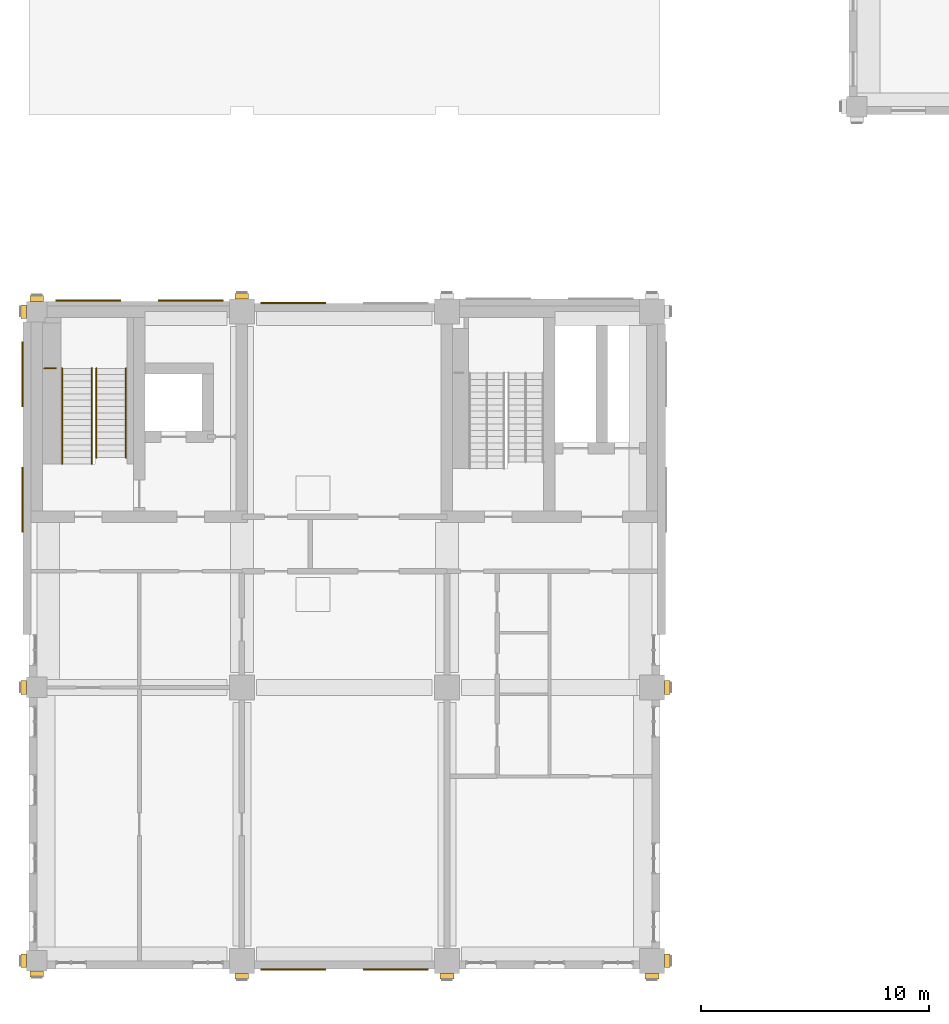
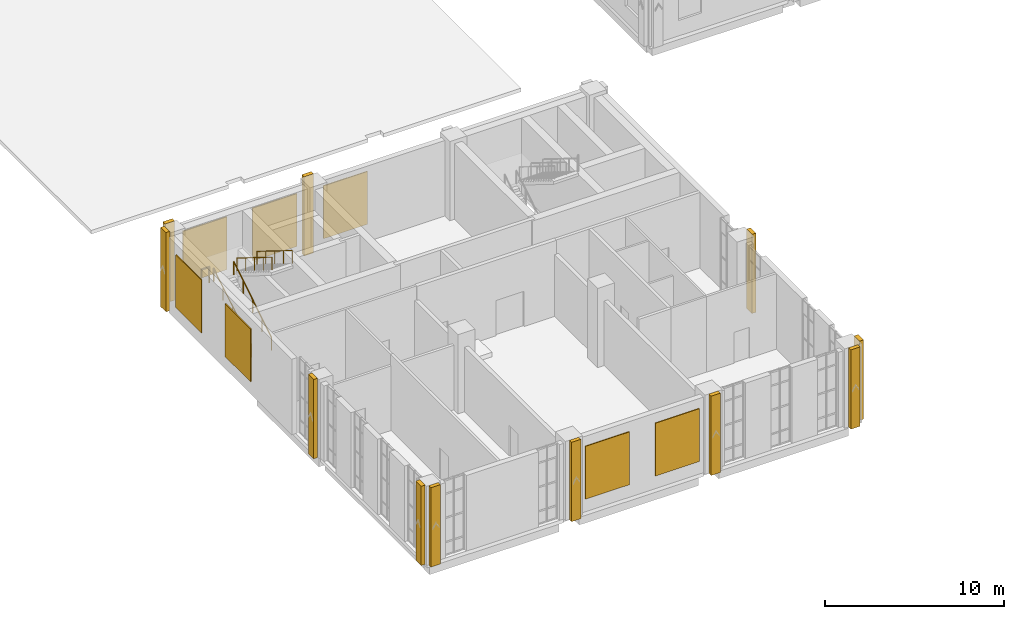
# One storey, part 26 of 33: 18 coverings, 5 railings.
"""IFC4 building model written with IfcOpenShell, lengths in metres."""

from ifc_helpers import new_model, si_unit, direction, frame, origin, origin_2d, place, context, subcontext, project, spatial, rectangle, circle, extrude, material, layer, layer_set, type_object, element, save


model = new_model("IFC4")

# Units and contexts
model_context = context("Model", 3, precision=1e-05, world=origin(), true_north=direction((0.0, 1.0)))
body_context = subcontext(model_context, "Body", "Model", "MODEL_VIEW")
ifc_project = project(units=[si_unit("LENGTHUNIT", "METRE"), si_unit("AREAUNIT", "SQUARE_METRE"), si_unit("VOLUMEUNIT", "CUBIC_METRE"), si_unit("PLANEANGLEUNIT", "RADIAN"), si_unit("MASSUNIT", "GRAM", prefix="KILO")], contexts=[model_context])

# Site, building, storey
site_placement = place(None, origin())
site = spatial("IfcSite", under=ifc_project, at=site_placement, CompositionType="ELEMENT")
building_placement = place(site_placement, origin())
building = spatial("IfcBuilding", under=site, at=building_placement, Name="Aurelan Courthouse", CompositionType="ELEMENT")
storey_placement = place(building_placement, frame((0.0, 0.0, 22.800048828125)))
storey = spatial("IfcBuildingStorey", under=building, at=storey_placement, Name="L04", CompositionType="ELEMENT", Elevation=22.800048828125)

# Coverings
ifc_material_1 = material(Name="Bronze sheet cladding")
ifc_layer = layer(ifc_material_1, 0.06005859375)
ifc_layer_set = layer_set([ifc_layer], Name="Bronze sheet cladding")
covering_type_1 = type_object("IfcCoveringType", Name="Courts' Floors blind bay 2850 x 3600", PredefinedType="CLADDING", material=ifc_layer_set)
for number, where, z_axis, x_axis, name in (
    (1, (11.25, -0.3798828125, 0.89990234375), (0.0, 0.0, 1.0), (1.0, 0.0, 0.0), "Blind bay BB-V5-L04-001"),
    (2, (15.75, -0.3798828125, 0.89990234375), (0.0, 0.0, 1.0), (1.0, 0.0, 0.0), "Blind bay BB-V5-L04-002"),
    (3, (2.25, 28.97998046875, 0.89990234375), (0.0, 0.0, 1.0), (1.0, 0.0, 0.0), "Blind bay BB-V5-L04-003"),
    (4, (6.75, 28.97998046875, 0.89990234375), (0.0, 0.0, 1.0), (1.0, 0.0, 0.0), "Blind bay BB-V5-L04-004"),
    (5, (11.25, 28.8798828125, 0.89990234375), (0.0, 0.0, 1.0), (1.0, 0.0, 0.0), "Blind bay BB-V5-L04-005"),
):
    element("IfcCovering", number, at=place(storey_placement, frame(where, z_axis=z_axis, x_axis=x_axis)), inside=storey, type_object=covering_type_1, Name=name, PredefinedType="CLADDING", context=body_context, shape_type="SweptSolid", body=[
        extrude(rectangle(XDim=2.85009765625, YDim=0.06005859375, at=origin_2d()), origin(), (0.0, 0.0, 1.0), 3.60009765625),
    ])
for number, where, z_axis, x_axis, name in (
    (6, (-0.6298828125, 20.25, 0.89990234375), (0.0, 0.0, 1.0), (1.0, 0.0, 0.0), "Blind bay BB-V5-L04-011"),
    (7, (-0.6298828125, 25.75, 0.89990234375), (0.0, 0.0, 1.0), (1.0, 0.0, 0.0), "Blind bay BB-V5-L04-012"),
):
    element("IfcCovering", number, at=place(storey_placement, frame(where, z_axis=z_axis, x_axis=x_axis)), inside=storey, type_object=covering_type_1, Name=name, PredefinedType="CLADDING", context=body_context, shape_type="SweptSolid", body=[
        extrude(rectangle(XDim=0.06005859375, YDim=2.85009765625, at=origin_2d()), origin(), (0.0, 0.0, 1.0), 3.60009765625),
    ])
ifc_material_2 = material(Name="Limestone cladding", Category="masonry")
covering_type_2 = type_object("IfcCoveringType", Name="Courts' Floors pilaster fin 600 x 250", PredefinedType="CLADDING", material=ifc_material_2)
for number, where, z_axis, x_axis, name in (
    (8, (0.0, -0.574951171875, 0.0), (0.0, 0.0, 1.0), (1.0, 0.0, 0.0), "Pilaster fin FN-V5-029"),
    (9, (9.0, -0.675048828125, 0.0), (0.0, 0.0, 1.0), (1.0, 0.0, 0.0), "Pilaster fin FN-V5-030"),
    (10, (18.0, -0.675048828125, 0.0), (0.0, 0.0, 1.0), (1.0, 0.0, 0.0), "Pilaster fin FN-V5-031"),
    (11, (27.0, -0.675048828125, 0.0), (0.0, 0.0, 1.0), (1.0, 0.0, 0.0), "Pilaster fin FN-V5-032"),
    (12, (0.0, 29.074951171875, 0.0), (0.0, 0.0, 1.0), (1.0, 0.0, 0.0), "Pilaster fin FN-V5-033"),
    (13, (9.0, 29.175048828125, 0.0), (0.0, 0.0, 1.0), (1.0, 0.0, 0.0), "Pilaster fin FN-V5-034"),
):
    element("IfcCovering", number, at=place(storey_placement, frame(where, z_axis=z_axis, x_axis=x_axis)), inside=storey, type_object=covering_type_2, Name=name, PredefinedType="CLADDING", context=body_context, shape_type="SweptSolid", body=[
        extrude(rectangle(XDim=0.60009765625, YDim=0.25, at=origin_2d()), origin(), (0.0, 0.0, 1.0), 5.39990234375),
    ])
for number, where, z_axis, x_axis, name in (
    (14, (27.675048828125, 0.0, 0.0), (0.0, 0.0, 1.0), (1.0, 0.0, 0.0), "Pilaster fin FN-V5-037"),
    (15, (27.675048828125, 12.0, 0.0), (0.0, 0.0, 1.0), (1.0, 0.0, 0.0), "Pilaster fin FN-V5-038"),
    (16, (-0.574951171875, 0.0, 0.0), (0.0, 0.0, 1.0), (1.0, 0.0, 0.0), "Pilaster fin FN-V5-040"),
    (17, (-0.574951171875, 12.0, 0.0), (0.0, 0.0, 1.0), (1.0, 0.0, 0.0), "Pilaster fin FN-V5-041"),
    (18, (-0.574951171875, 28.5, 0.0), (0.0, 0.0, 1.0), (1.0, 0.0, 0.0), "Pilaster fin FN-V5-042"),
):
    element("IfcCovering", number, at=place(storey_placement, frame(where, z_axis=z_axis, x_axis=x_axis)), inside=storey, type_object=covering_type_2, Name=name, PredefinedType="CLADDING", context=body_context, shape_type="SweptSolid", body=[
        extrude(rectangle(XDim=0.25, YDim=0.60009765625, at=origin_2d()), origin(), (0.0, 0.0, 1.0), 5.39990234375),
    ])

# Railings
ifc_material_3 = material(Name="Steel S355", Category="steel")
railing_type_1 = type_object("IfcRailingType", Name="Stair guard 1100", PredefinedType="GUARDRAIL", material=ifc_material_3)
railing_placement = place(storey_placement, frame((0.830078125, 26.010009765625, 2.787109375)))
element("IfcRailing", 19, at=railing_placement, inside=storey, type_object=railing_type_1, Name="Guard ST-5B-L04-GL1", PredefinedType="GUARDRAIL", context=body_context, shape_type="SweptSolid", body=[
    extrude(circle(Radius=0.02392578125, at=origin_2d()), frame((0.0, 0.0, 1.076171875), z_axis=(-1.0, 0.0, 0.0), x_axis=(0.0, -1.0, 0.0)), (0.0, 0.0, 1.0), 0.5),
    extrude(circle(Radius=0.02099609375, at=origin_2d()), origin(), (0.0, 0.0, 1.0), 1.052001953125),
    extrude(circle(Radius=0.02099609375, at=origin_2d()), frame((-0.5, 0.0, 0.0)), (0.0, 0.0, 1.0), 1.052001953125),
])
railing_type_2 = type_object("IfcRailingType", Name="Stair handrail 900", PredefinedType="HANDRAIL", material=ifc_material_3)
for number, where, name in (
    (20, (1.110107421875, 21.81005859375, 0.174072265625), "Handrail ST-5B-L04-H1"),
    (21, (2.409912109375, 21.81005859375, 0.174072265625), "Handrail ST-5B-L04-H2"),
):
    element("IfcRailing", number, at=place(storey_placement, frame(where)), inside=storey, type_object=railing_type_2, Name=name, PredefinedType="HANDRAIL", context=body_context, shape_type="SweptSolid", body=[
        extrude(circle(Radius=0.02392578125, at=origin_2d()), frame((0.0, 0.0, 0.8759765625), z_axis=(0.0, 0.849080710111, 0.528263142494), x_axis=(-1.0, 0.0, 0.0)), (0.0, 0.0, 1.0), 4.946533203125),
        extrude(circle(Radius=0.02099609375, at=origin_2d()), origin(), (0.0, 0.0, 1.0), 0.851806640625),
        extrude(circle(Radius=0.02099609375, at=origin_2d()), frame((0.0, 1.050048828125, 0.6533203125)), (0.0, 0.0, 1.0), 0.851806640625),
        extrude(circle(Radius=0.02099609375, at=origin_2d()), frame((0.0, 2.10009765625, 1.306640625)), (0.0, 0.0, 1.0), 0.851806640625),
        extrude(circle(Radius=0.02099609375, at=origin_2d()), frame((0.0, 3.14990234375, 1.959716796875)), (0.0, 0.0, 1.0), 0.851806640625),
        extrude(circle(Radius=0.02099609375, at=origin_2d()), frame((0.0, 4.199951171875, 2.613037109375)), (0.0, 0.0, 1.0), 0.851806640625),
    ])
for number, where, name in (
    (22, (2.610107421875, 26.010009765625, 2.961181640625), "Handrail ST-5B-L04-H3"),
    (23, (3.909912109375, 26.010009765625, 2.961181640625), "Handrail ST-5B-L04-H4"),
):
    element("IfcRailing", number, at=place(storey_placement, frame(where)), inside=storey, type_object=railing_type_2, Name=name, PredefinedType="HANDRAIL", context=body_context, shape_type="SweptSolid", body=[
        extrude(circle(Radius=0.02392578125, at=origin_2d()), frame((0.0, 0.0, 0.8759765625), z_axis=(0.0, -0.849089811655, 0.528248513243), x_axis=(1.0, 0.0, 0.0)), (0.0, 0.0, 1.0), 4.61669921875),
        extrude(circle(Radius=0.02099609375, at=origin_2d()), origin(), (0.0, 0.0, 1.0), 0.851806640625),
        extrude(circle(Radius=0.02099609375, at=origin_2d()), frame((0.0, -0.97998046875, 0.609619140625)), (0.0, 0.0, 1.0), 0.851806640625),
        extrude(circle(Radius=0.02099609375, at=origin_2d()), frame((0.0, -1.9599609375, 1.21923828125)), (0.0, 0.0, 1.0), 0.851806640625),
        extrude(circle(Radius=0.02099609375, at=origin_2d()), frame((0.0, -2.93994140625, 1.8291015625)), (0.0, 0.0, 1.0), 0.851806640625),
        extrude(circle(Radius=0.02099609375, at=origin_2d()), frame((0.0, -3.919921875, 2.438720703125)), (0.0, 0.0, 1.0), 0.851806640625),
    ])

save(model, "model.ifc")
